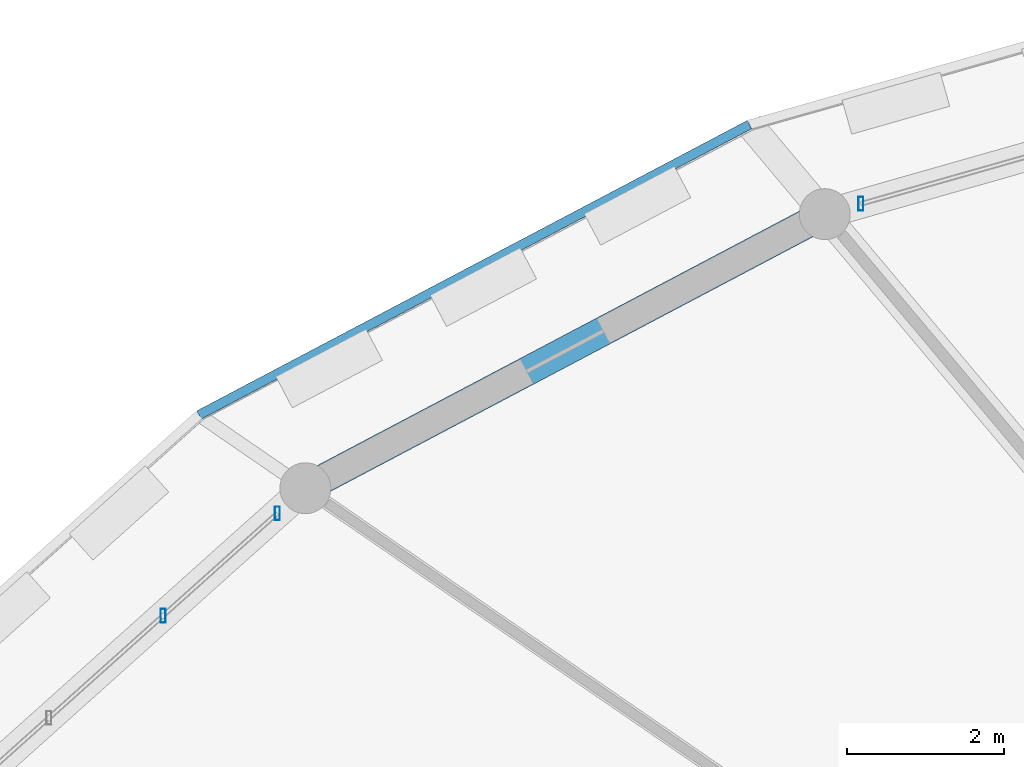
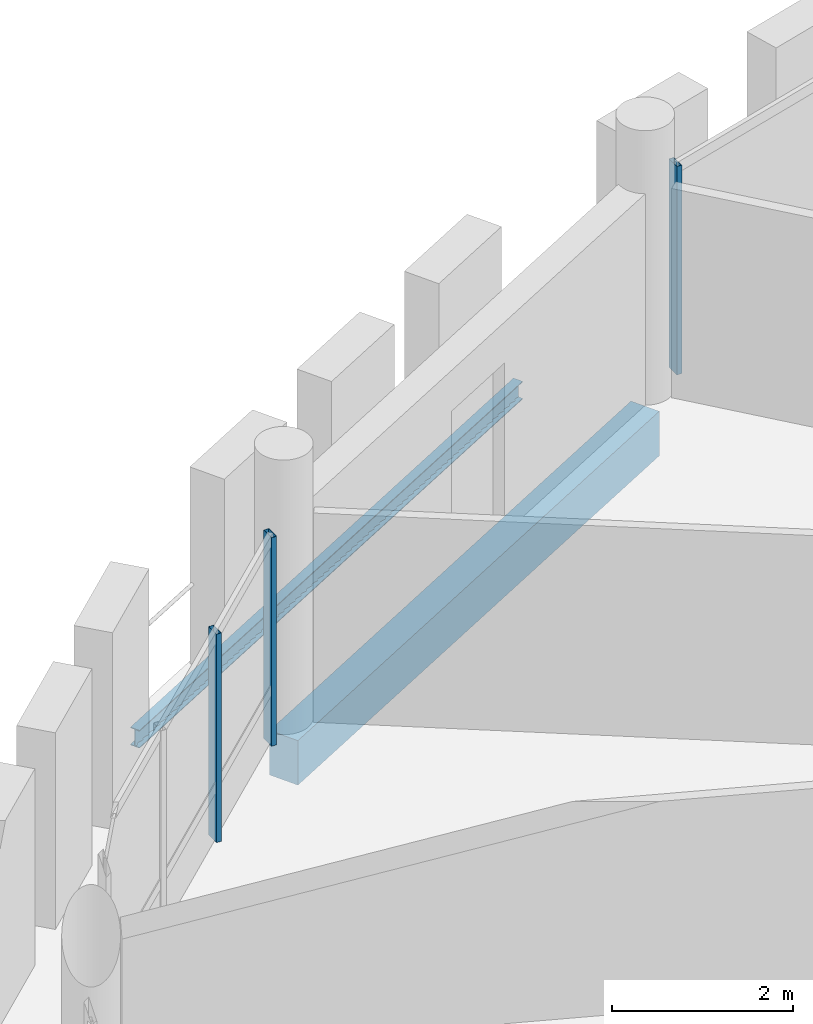
# One storey, part 44 of 84: 3 members, 2 beams, 2 elements without a shape of their own.
"""IFC4 building model written with IfcOpenShell, lengths in metres."""

from ifc_helpers import new_model, si_unit, direction, frame, origin, origin_2d, place, context, subcontext, project, spatial, rectangle, hollow_rectangle, i_section, extrude, material, material_profile, profile_set, type_object, element, aggregate, save


model = new_model("IFC4")

# Units and contexts
model_context = context("Model", 3, precision=1e-05, world=origin(), true_north=direction((0.0, 1.0)))
body_context = subcontext(model_context, "Body", "Model", "MODEL_VIEW")
ifc_project = project(units=[si_unit("LENGTHUNIT", "METRE"), si_unit("AREAUNIT", "SQUARE_METRE"), si_unit("VOLUMEUNIT", "CUBIC_METRE"), si_unit("PLANEANGLEUNIT", "RADIAN"), si_unit("MASSUNIT", "GRAM", prefix="KILO")], contexts=[model_context])

# Site, building, storey
site_placement = place(None, origin())
site = spatial("IfcSite", under=ifc_project, at=site_placement, CompositionType="ELEMENT")
building_placement = place(site_placement, origin())
building = spatial("IfcBuilding", under=site, at=building_placement, Name="Zornivar Specialist Clinic", CompositionType="ELEMENT")
storey_placement = place(building_placement, frame((0.0, 0.0, 12.300048828125)))
storey = spatial("IfcBuildingStorey", under=building, at=storey_placement, Name="L03", CompositionType="ELEMENT", Elevation=12.300048828125)

# Beams
ifc_material_1 = material(Name="Concrete C30/37", Category="concrete")
ifc_material_profile_1 = material_profile(ifc_material_1, rectangle(XDim=0.3701171875, YDim=0.60009765625, at=origin_2d()), Name="RC 370x600")
ifc_profile_set_1 = profile_set([ifc_material_profile_1], Name="Concrete C30/37")
beam_type_1 = type_object("IfcBeamType", Name="BM-RC-SPANDREL-370x600", PredefinedType="SPANDREL", material=ifc_profile_set_1)
beam_1_placement = place(storey_placement, frame((77.60009765625, 76.653076171875, -0.5400390625), z_axis=(-0.8844187475, -0.466694202954, 0.0), x_axis=(0.466694202954, -0.8844187475, 0.0)))
element("IfcBeam", 1, at=beam_1_placement, inside=storey, type_object=beam_type_1, Name="bm:V1:L03:outring:08", PredefinedType="SPANDREL", context=body_context, shape_type="SweptSolid", body=[
    extrude(rectangle(XDim=0.3701171875, YDim=0.60009765625, at=origin_2d()), origin(), (0.0, 0.0, 1.0), 7.4931640625),
])
ifc_material_2 = material(Name="Steel S355J2", Category="steel")
ifc_material_profile_2 = material_profile(ifc_material_2, i_section(OverallWidth=0.1201171875, OverallDepth=0.239990234375, WebThickness=0.006103515625, FlangeThickness=0.009765625, FilletRadius=0.014892578125, at=origin_2d()), Name="IPE 240")
ifc_profile_set_2 = profile_set([ifc_material_profile_2], Name="Steel S355J2")
beam_type_2 = type_object("IfcBeamType", Name="BM-STL-IPE240", PredefinedType="JOIST", material=ifc_profile_set_2)
beam_2_placement = place(storey_placement, frame((76.639892578125, 77.7958984375, -0.360107421875), z_axis=(-0.884477081674, -0.466583638797, 0.0), x_axis=(0.466583638797, -0.884477081674, 0.0)))
element("IfcBeam", 2, at=beam_2_placement, inside=storey, type_object=beam_type_2, Name="bm:V1:L03:balring:08", PredefinedType="JOIST", context=body_context, shape_type="SweptSolid", body=[
    extrude(i_section(OverallWidth=0.1201171875, OverallDepth=0.239990234375, WebThickness=0.006103515625, FlangeThickness=0.009765625, FilletRadius=0.014892578125, at=origin_2d()), origin(), (0.0, 0.0, 1.0), 7.9423828125),
])

# Curtain wall, member
ifc_material_3 = material(Name="Aluminium and Low-E Glass Curtain Wall", Category="aluminium")
curtain_wall_type = type_object("IfcCurtainWallType", Name="CW-DRUM-FACET", PredefinedType="NOTDEFINED", material=ifc_material_3)
curtain_wall_1_placement = place(storey_placement, origin())
curtain_wall_1 = element("IfcCurtainWall", 3, at=curtain_wall_1_placement, inside=storey, type_object=curtain_wall_type, Name="cw:V1:L03:c07", PredefinedType="NOTDEFINED")
ifc_material_4 = material(Name="Aluminium AW-6060", Category="aluminium")
ifc_material_profile_3 = material_profile(ifc_material_4, hollow_rectangle(XDim=0.06494140625, YDim=0.175048828125, WallThickness=0.00439453125, at=origin_2d()), Name="ALU 65x175x4.5")
ifc_profile_set_3 = profile_set([ifc_material_profile_3], Name="Aluminium AW-6060")
member_type = type_object("IfcMemberType", Name="CWM-MUL-175", PredefinedType="MULLION", material=ifc_profile_set_3)
member_1_placement = place(storey_placement, frame((78.06103515625, 76.784912109375, 0.0), z_axis=(0.0, 0.0, 1.0), x_axis=(1.0, 0.0, 0.0)))
member_1 = element("IfcMember", 4, at=member_1_placement, type_object=member_type, Name="cw:V1:L03:c07:mul:3", PredefinedType="MULLION", context=body_context, shape_type="SweptSolid", body=[
    extrude(hollow_rectangle(XDim=0.06494140625, YDim=0.175048828125, WallThickness=0.00439453125, at=origin_2d()), origin(), (0.0, 0.0, 1.0), 2.81005859375),
])
aggregate(curtain_wall_1, [member_1])

# Curtain wall, members
curtain_wall_2_placement = place(storey_placement, origin())
curtain_wall_2 = element("IfcCurtainWall", 5, at=curtain_wall_2_placement, inside=storey, type_object=curtain_wall_type, Name="cw:V1:L03:c09", PredefinedType="NOTDEFINED")
member_2_placement = place(storey_placement, frame((70.614990234375, 72.8349609375, 0.0), z_axis=(0.0, 0.0, 1.0), x_axis=(1.0, 0.0, 0.0)))
member_2 = element("IfcMember", 6, at=member_2_placement, type_object=member_type, Name="cw:V1:L03:c09:mul:0", PredefinedType="MULLION", context=body_context, shape_type="SweptSolid", body=[
    extrude(hollow_rectangle(XDim=0.06494140625, YDim=0.175048828125, WallThickness=0.00439453125, at=origin_2d()), origin(), (0.0, 0.0, 1.0), 2.81005859375),
])
member_3_placement = place(storey_placement, frame((69.157958984375, 71.530029296875, 0.0), z_axis=(0.0, 0.0, 1.0), x_axis=(1.0, 0.0, 0.0)))
member_3 = element("IfcMember", 7, at=member_3_placement, type_object=member_type, Name="cw:V1:L03:c09:mul:1", PredefinedType="MULLION", context=body_context, shape_type="SweptSolid", body=[
    extrude(hollow_rectangle(XDim=0.06494140625, YDim=0.175048828125, WallThickness=0.00439453125, at=origin_2d()), origin(), (0.0, 0.0, 1.0), 2.81005859375),
])
aggregate(curtain_wall_2, [member_2, member_3])

save(model, "model.ifc")
